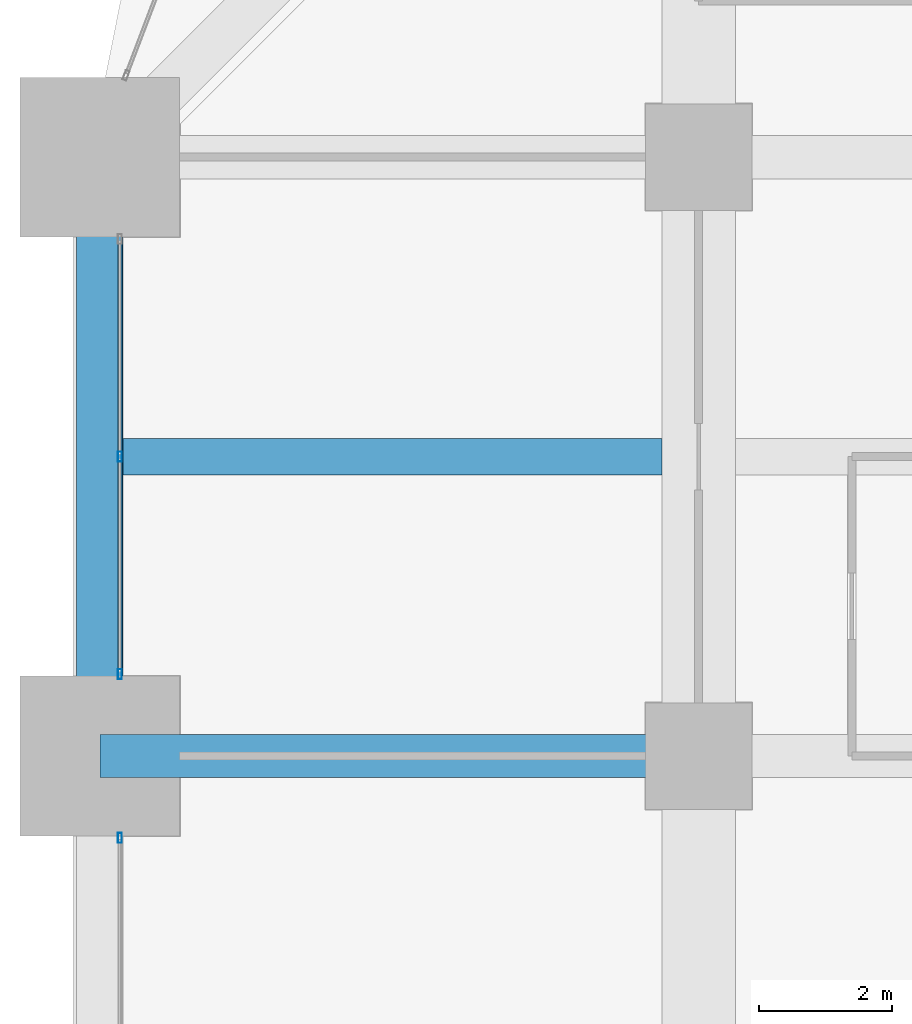
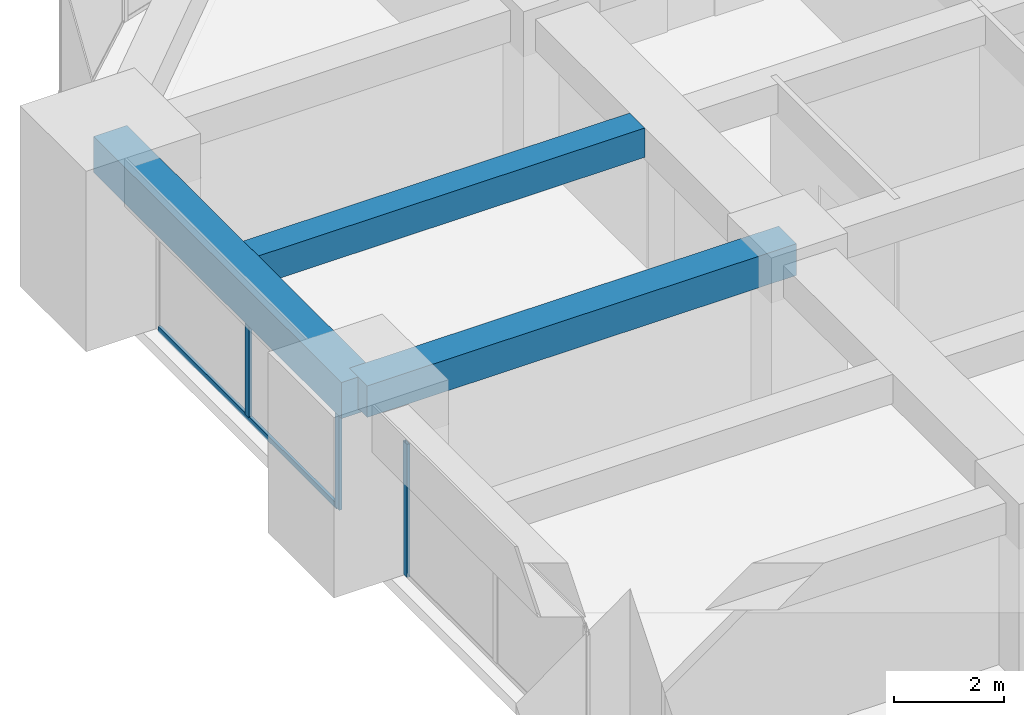
# One storey, part 11 of 32: 4 members, 3 beams, 2 elements without a shape of their own.
"""IFC4 building model written with IfcOpenShell, lengths in metres."""

from ifc_helpers import new_model, si_unit, direction, frame, origin, origin_2d, place, context, subcontext, project, spatial, rectangle, hollow_rectangle, extrude, material, material_profile, profile_set, type_object, element, aggregate, save


model = new_model("IFC4")

# Units and contexts
model_context = context("Model", 3, precision=1e-05, world=origin(), true_north=direction((0.0, 1.0)))
body_context = subcontext(model_context, "Body", "Model", "MODEL_VIEW")
ifc_project = project(units=[si_unit("LENGTHUNIT", "METRE"), si_unit("AREAUNIT", "SQUARE_METRE"), si_unit("VOLUMEUNIT", "CUBIC_METRE"), si_unit("PLANEANGLEUNIT", "RADIAN"), si_unit("MASSUNIT", "GRAM", prefix="KILO")], contexts=[model_context])

# Site, building, storey
site_placement = place(None, origin())
site = spatial("IfcSite", under=ifc_project, at=site_placement, CompositionType="ELEMENT")
building_placement = place(site_placement, origin())
building = spatial("IfcBuilding", under=site, at=building_placement, Name="Zorevar Civic Tower", CompositionType="ELEMENT")
storey_placement = place(building_placement, frame((0.0, 0.0, 186.199951171875)))
storey = spatial("IfcBuildingStorey", under=building, at=storey_placement, Name="L45", CompositionType="ELEMENT", Elevation=186.199951171875)

# Beams
ifc_material_1 = material(Name="Concrete C50/60", Category="concrete")
ifc_material_profile_1 = material_profile(ifc_material_1, rectangle(XDim=0.550048828125, YDim=0.64990234375, at=origin_2d()), Name="RC 550x650")
ifc_profile_set_1 = profile_set([ifc_material_profile_1], Name="Concrete C50/60")
beam_type_1 = type_object("IfcBeamType", Name="Beam RC 550x650", PredefinedType="BEAM", material=ifc_profile_set_1)
beam_1_placement = place(storey_placement, frame((0.35009765625, 31.5, 3.425048828125), z_axis=(1.0, 0.0, 0.0), x_axis=(0.0, 1.0, 0.0)))
element("IfcBeam", 1, at=beam_1_placement, inside=storey, type_object=beam_type_1, Name="Secondary beam L46", PredefinedType="BEAM", context=body_context, shape_type="SweptSolid", body=[
    extrude(rectangle(XDim=0.550048828125, YDim=0.64990234375, at=origin_2d()), origin(), (0.0, 0.0, 1.0), 8.099853515625),
])
ifc_material_2 = material(Name="Concrete C50/60", Category="concrete")
ifc_material_profile_2 = material_profile(ifc_material_2, rectangle(XDim=0.64990234375, YDim=0.699951171875, at=origin_2d()), Name="RC 650x700")
ifc_profile_set_2 = profile_set([ifc_material_profile_2], Name="Concrete C50/60")
beam_type_2 = type_object("IfcBeamType", Name="Beam RC 650x700", PredefinedType="BEAM", material=ifc_profile_set_2)
beam_2_placement = place(storey_placement, frame((0.0, 27.0, 3.400146484375), z_axis=(1.0, 0.0, 0.0), x_axis=(0.0, 1.0, 0.0)))
element("IfcBeam", 2, at=beam_2_placement, inside=storey, type_object=beam_type_2, Name="Girder L46", PredefinedType="BEAM", context=body_context, shape_type="SweptSolid", body=[
    extrude(rectangle(XDim=0.64990234375, YDim=0.699951171875, at=origin_2d()), origin(), (0.0, 0.0, 1.0), 9.0),
])

# Curtain wall, member
ifc_material_3 = material(Name="Dark grey solar-control glass in black aluminium frame", Category="aluminium")
curtain_wall_type = type_object("IfcCurtainWallType", Name="Curtain wall CW4 high zone", PredefinedType="NOTDEFINED", material=ifc_material_3)
curtain_wall_1_placement = place(storey_placement, origin())
curtain_wall_1 = element("IfcCurtainWall", 3, at=curtain_wall_1_placement, inside=storey, type_object=curtain_wall_type, Name="CW4 L45", PredefinedType="NOTDEFINED")
ifc_material_4 = material(Name="Aluminium, black anodised", Category="aluminium")
ifc_material_profile_3 = material_profile(ifc_material_4, hollow_rectangle(XDim=0.06005859375, YDim=0.14990234375, WallThickness=0.00390625, at=origin_2d()), Name="AL 150x60x4")
ifc_profile_set_3 = profile_set([ifc_material_profile_3], Name="Aluminium, black anodised")
member_type_1 = type_object("IfcMemberType", Name="CW4 mullion AL 150x60x4", PredefinedType="MULLION", material=ifc_profile_set_3)
member_1_placement = place(storey_placement, frame((0.300048828125, 25.77001953125, 0.0), z_axis=(0.0, 0.0, 1.0), x_axis=(-1.0, 0.0, 0.0)))
member_1 = element("IfcMember", 4, at=member_1_placement, type_object=member_type_1, Name="CW4 mullion 3", PredefinedType="MULLION", context=body_context, shape_type="SweptSolid", body=[
    extrude(hollow_rectangle(XDim=0.06005859375, YDim=0.14990234375, WallThickness=0.00390625, at=origin_2d()), origin(), (0.0, 0.0, 1.0), 2.949951171875),
])
aggregate(curtain_wall_1, [member_1])

# Curtain wall, members
curtain_wall_2_placement = place(storey_placement, origin())
curtain_wall_2 = element("IfcCurtainWall", 5, at=curtain_wall_2_placement, inside=storey, type_object=curtain_wall_type, Name="CW4 L45", PredefinedType="NOTDEFINED")
member_2_placement = place(storey_placement, frame((0.300048828125, 28.22998046875, 0.0), z_axis=(0.0, 0.0, 1.0), x_axis=(-1.0, 0.0, 0.0)))
member_2 = element("IfcMember", 6, at=member_2_placement, type_object=member_type_1, Name="CW4 mullion 1", PredefinedType="MULLION", context=body_context, shape_type="SweptSolid", body=[
    extrude(hollow_rectangle(XDim=0.06005859375, YDim=0.14990234375, WallThickness=0.00390625, at=origin_2d()), origin(), (0.0, 0.0, 1.0), 2.949951171875),
])
member_3_placement = place(storey_placement, frame((0.300048828125, 31.5, 0.06005859375), z_axis=(0.0, 0.0, 1.0), x_axis=(-1.0, 0.0, 0.0)))
member_3 = element("IfcMember", 7, at=member_3_placement, type_object=member_type_1, Name="CW4 mullion 2", PredefinedType="MULLION", context=body_context, shape_type="SweptSolid", body=[
    extrude(hollow_rectangle(XDim=0.06005859375, YDim=0.14990234375, WallThickness=0.00390625, at=origin_2d()), origin(), (0.0, 0.0, 1.0), 2.889892578125),
])
ifc_material_5 = material(Name="Aluminium, black anodised", Category="aluminium")
ifc_material_profile_4 = material_profile(ifc_material_5, hollow_rectangle(XDim=0.06005859375, YDim=0.1201171875, WallThickness=0.0029296875, at=origin_2d()), Name="AL 120x60x3")
ifc_profile_set_4 = profile_set([ifc_material_profile_4], Name="Aluminium, black anodised")
member_type_2 = type_object("IfcMemberType", Name="CW4 transom AL 120x60x3", PredefinedType="USERDEFINED", material=ifc_profile_set_4)
member_4_placement = place(storey_placement, frame((0.300048828125, 28.260009765625, 0.030029296875), z_axis=(0.0, 1.0, 0.0), x_axis=(-1.0, 0.0, 0.0)))
member_4 = element("IfcMember", 8, at=member_4_placement, type_object=member_type_2, Name="CW4 sill transom", ObjectType="TRANSOM", PredefinedType="USERDEFINED", context=body_context, shape_type="SweptSolid", body=[
    extrude(hollow_rectangle(XDim=0.06005859375, YDim=0.1201171875, WallThickness=0.0029296875, at=origin_2d()), origin(), (0.0, 0.0, 1.0), 6.47998046875),
])
aggregate(curtain_wall_2, [member_2, member_3, member_4])

# Beam
ifc_material_6 = material(Name="Concrete C50/60", Category="concrete")
ifc_material_profile_5 = material_profile(ifc_material_6, rectangle(XDim=0.699951171875, YDim=0.800048828125, at=origin_2d()), Name="RC 700x800")
ifc_profile_set_5 = profile_set([ifc_material_profile_5], Name="Concrete C50/60")
beam_type_3 = type_object("IfcBeamType", Name="Edge beam RC 700x800", PredefinedType="SPANDREL", material=ifc_profile_set_5)
beam_3_placement = place(storey_placement, frame((0.0, 27.0, 3.35009765625), z_axis=(0.0, 1.0, 0.0), x_axis=(-1.0, 0.0, 0.0)))
element("IfcBeam", 9, at=beam_3_placement, inside=storey, type_object=beam_type_3, Name="Edge beam L46", PredefinedType="SPANDREL", context=body_context, shape_type="SweptSolid", body=[
    extrude(rectangle(XDim=0.699951171875, YDim=0.800048828125, at=origin_2d()), origin(), (0.0, 0.0, 1.0), 9.0),
])

save(model, "model.ifc")
